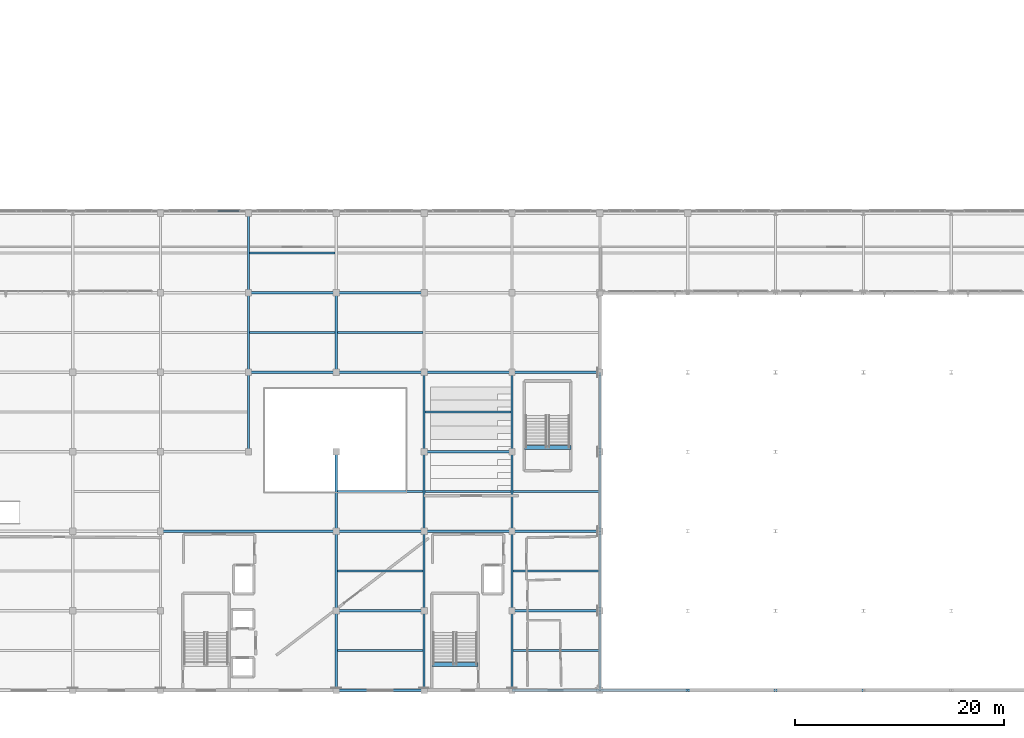
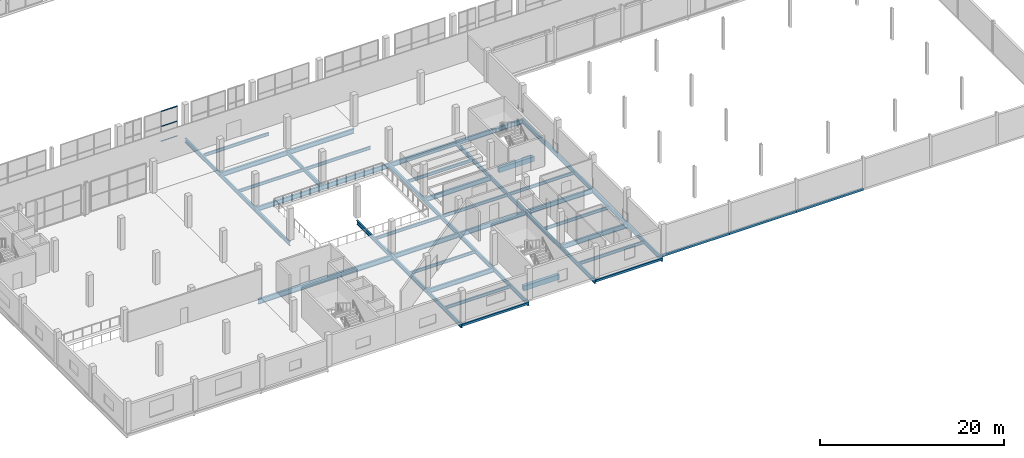
# One storey, part 36 of 217: 50 beams, 3 members, 1 element without a shape of its own.
"""IFC4 building model written with IfcOpenShell, lengths in metres."""

import ifcopenshell
import ifcopenshell.guid

model = None  # the IFC model being written
_history = None  # IfcOwnerHistory: only IFC2X3 demands one
_inside = {}  # id of a spatial element -> (the spatial element, [elements in it])
_under = {}  # id of a project, library or spatial element -> (it, [spatial elements below it])
_declared = {}  # id of a project -> (the project, [libraries it declares])
_typed = {}  # id of a type object -> (the type object, [elements of that type])
_made_of = {}  # id of a material, layer set ... -> (it, [elements and type objects made of it])


def new_model(schema):
    """Start an empty IFC model of exactly this schema.

    Asked for "IFC4X3", IfcOpenShell would pick the latest addendum, in which some entities
    have other attributes; the version numbers below select the first issue.
    IFC2X3 requires an IfcOwnerHistory on every rooted entity: one is made here for all.
    """
    global model, _history
    if schema == "IFC4X3":
        model = ifcopenshell.file(schema_version=(4, 3, 0, 0))
    else:
        model = ifcopenshell.file(schema=schema)
    _inside.clear()
    _under.clear()
    _declared.clear()
    _typed.clear()
    _made_of.clear()
    _history = None
    if model.schema == "IFC2X3":
        org = make("IfcOrganization", Name="unknown")
        user = make(
            "IfcPersonAndOrganization",
            ThePerson=make("IfcPerson", FamilyName="unknown"),
            TheOrganization=org,
        )
        app = make(
            "IfcApplication",
            ApplicationDeveloper=org,
            Version="unknown",
            ApplicationFullName="unknown",
            ApplicationIdentifier="unknown",
        )
        _history = make(
            "IfcOwnerHistory",
            OwningUser=user,
            OwningApplication=app,
            ChangeAction="ADDED",
            CreationDate=0,
        )
    return model


def make(cls, **values):
    """One entity of the class cls with the attributes given. An attribute that is None is left unset."""
    return model.create_entity(
        cls, **{name: value for name, value in values.items() if value is not None}
    )


def rooted(cls, **values):
    """An entity with a GlobalId (a new one), such as an element, a storey or a relation."""
    return make(cls, GlobalId=ifcopenshell.guid.new(), OwnerHistory=_history, **values)


def si_unit(unit_type, name, prefix=None):
    """IfcSIUnit, for example si_unit("LENGTHUNIT", "METRE", prefix="MILLI")."""
    return make("IfcSIUnit", UnitType=unit_type, Prefix=prefix, Name=name)


def assignment(units):
    """IfcUnitAssignment: the units of a project."""
    return None if units is None else make("IfcUnitAssignment", Units=units)


def point(xyz):
    """IfcCartesianPoint."""
    return None if xyz is None else make("IfcCartesianPoint", Coordinates=xyz)


def direction(xyz):
    """IfcDirection."""
    return None if xyz is None else make("IfcDirection", DirectionRatios=xyz)


def frame(location, z_axis=None, x_axis=None):
    """IfcAxis2Placement3D, a coordinate frame: its origin and axes. An axis left out is left unset."""
    return make(
        "IfcAxis2Placement3D",
        Location=point(location),
        Axis=direction(z_axis),
        RefDirection=direction(x_axis),
    )


def frame_2d(location, x_axis=None):
    """IfcAxis2Placement2D, a coordinate frame in the plane: its origin and x axis."""
    return make(
        "IfcAxis2Placement2D", Location=point(location), RefDirection=direction(x_axis)
    )


def origin():
    """The frame at (0, 0, 0) with its axes left unset."""
    return frame((0.0, 0.0, 0.0))


def origin_2d():
    """The frame at (0, 0) in the plane with its x axis left unset."""
    return frame_2d((0.0, 0.0))


def place(relative_to, where):
    """IfcLocalPlacement: puts the frame where relative to a parent placement (None: the world)."""
    return make(
        "IfcLocalPlacement", PlacementRelTo=relative_to, RelativePlacement=where
    )


def context(
    kind, dimensions, precision=None, world=None, true_north=None, identifier=None
):
    """IfcGeometricRepresentationContext, for example the 3D "Model" context."""
    return make(
        "IfcGeometricRepresentationContext",
        ContextIdentifier=identifier,
        ContextType=kind,
        CoordinateSpaceDimension=dimensions,
        Precision=precision,
        WorldCoordinateSystem=world,
        TrueNorth=true_north,
    )


def subcontext(parent, identifier, kind, view, scale=None):
    """IfcGeometricRepresentationSubContext, for example "Body" below "Model"."""
    return make(
        "IfcGeometricRepresentationSubContext",
        ContextIdentifier=identifier,
        ContextType=kind,
        ParentContext=parent,
        TargetScale=scale,
        TargetView=view,
    )


def project(units=None, contexts=None):
    """IfcProject with its units and contexts."""
    return rooted(
        "IfcProject",
        Name="project",
        RepresentationContexts=contexts,
        UnitsInContext=assignment(units),
    )


def spatial(cls, under=None, at=None, **own):
    """A site, building, storey or space (cls), placed at a placement, below another one or the project."""
    s = rooted(cls, ObjectPlacement=at, **own)
    if under is not None:
        _under.setdefault(under.id(), (under, []))[1].append(s)
    return s


def profile(cls, at=None, kind="AREA", **sizes):
    """A parametric profile (cls). Its sizes go by their IFC names, for example OverallWidth=200.0."""
    return make(cls, ProfileType=kind, Position=at, **sizes)


def rectangle(**sizes):
    """IfcRectangleProfileDef."""
    return profile("IfcRectangleProfileDef", **sizes)


def hollow_rectangle(**sizes):
    """IfcRectangleHollowProfileDef."""
    return profile("IfcRectangleHollowProfileDef", **sizes)


def i_section(**sizes):
    """IfcIShapeProfileDef."""
    return profile("IfcIShapeProfileDef", **sizes)


def extrude(swept, where, along, depth):
    """IfcExtrudedAreaSolid: the profile swept, set in the frame where, extruded along a direction by depth."""
    return make(
        "IfcExtrudedAreaSolid",
        SweptArea=swept,
        Position=where,
        ExtrudedDirection=direction(along),
        Depth=depth,
    )


def shape(context_of_items, identifier, shape_type, items):
    """IfcShapeRepresentation: the items that make up one representation, for example the "Body"."""
    return make(
        "IfcShapeRepresentation",
        ContextOfItems=context_of_items,
        RepresentationIdentifier=identifier,
        RepresentationType=shape_type,
        Items=items,
    )


def material(Name=None, Category=None):
    """IfcMaterial."""
    return make("IfcMaterial", Name=Name, Category=Category)


def material_profile(
    of_material, cross_section, Name=None, Category=None, Priority=None
):
    """IfcMaterialProfile: a cross section and its material."""
    return make(
        "IfcMaterialProfile",
        Name=Name,
        Material=of_material,
        Profile=cross_section,
        Priority=Priority,
        Category=Category,
    )


def profile_set(profiles, Name=None, composite=None):
    """IfcMaterialProfileSet."""
    return make(
        "IfcMaterialProfileSet",
        Name=Name,
        MaterialProfiles=profiles,
        CompositeProfile=composite,
    )


def made_of(thing, what):
    """Note that an element or type object is made of a material, layer set ...; save() writes the relation."""
    if what is not None:
        _made_of.setdefault(what.id(), (what, []))[1].append(thing)
    return thing


def type_object(cls, material=None, **own):
    """A type object (cls), such as IfcWallType, which elements share."""
    return made_of(rooted(cls, **own), material)


def element(
    cls,
    number,
    at=None,
    inside=None,
    cuts=None,
    type_object=None,
    material=None,
    context=None,
    identifier="Body",
    shape_type=None,
    held_by="IfcProductDefinitionShape",
    body=None,
    shapes=None,
    **own,
):
    """One element of the class cls, such as IfcWall. Its Tag is "e" and its number.

    at: its placement. inside: the storey or other place that contains it. cuts: it is an
    opening in that element (IfcRelVoidsElement). A single representation is given by context,
    identifier, shape_type and body (its items); several are given by shapes. held_by: the class
    of the entity that holds the representations. save() writes the other relations.
    """
    e = rooted(cls, Tag="e%d" % number, ObjectPlacement=at, **own)
    if body is not None:
        shapes = [shape(context, identifier, shape_type, body)]
    if shapes is not None:
        e.Representation = make(held_by, Representations=shapes)
    if inside is not None:
        _inside.setdefault(inside.id(), (inside, []))[1].append(e)
    if cuts is not None:
        rooted(
            "IfcRelVoidsElement", RelatingBuildingElement=cuts, RelatedOpeningElement=e
        )
    if type_object is not None:
        _typed.setdefault(type_object.id(), (type_object, []))[1].append(e)
    return made_of(e, material)


def aggregate(whole, parts):
    """IfcRelAggregates: a whole, such as a stair, and the parts it consists of."""
    return rooted("IfcRelAggregates", RelatingObject=whole, RelatedObjects=parts)


def save(model, path):
    """Write the relations noted so far, then the file.

    IfcRelAggregates (storeys below a building ...), IfcRelContainedInSpatialStructure (elements
    in a storey), IfcRelDefinesByType, IfcRelAssociatesMaterial and IfcRelDeclares: one each for
    every whole, place, type object, material and project.
    """
    for whole, parts in _under.values():
        aggregate(whole, parts)
    for where, things in _inside.values():
        rooted(
            "IfcRelContainedInSpatialStructure",
            RelatedElements=things,
            RelatingStructure=where,
        )
    for kind, things in _typed.values():
        rooted("IfcRelDefinesByType", RelatedObjects=things, RelatingType=kind)
    for what, things in _made_of.values():
        rooted("IfcRelAssociatesMaterial", RelatedObjects=things, RelatingMaterial=what)
    for by, libraries in _declared.values():
        rooted("IfcRelDeclares", RelatingContext=by, RelatedDefinitions=libraries)
    model.write(path)


model = new_model("IFC4")

# Units and contexts
model_context = context("Model", 3, precision=1e-05, world=origin(), true_north=direction((0.0, 1.0)))
body_context = subcontext(model_context, "Body", "Model", "MODEL_VIEW")
ifc_project = project(units=[si_unit("LENGTHUNIT", "METRE"), si_unit("AREAUNIT", "SQUARE_METRE"), si_unit("VOLUMEUNIT", "CUBIC_METRE"), si_unit("PLANEANGLEUNIT", "RADIAN"), si_unit("MASSUNIT", "GRAM", prefix="KILO")], contexts=[model_context])

# Site, building, storey
site_placement = place(None, origin())
site = spatial("IfcSite", under=ifc_project, at=site_placement, CompositionType="ELEMENT")
building_placement = place(site_placement, origin())
building = spatial("IfcBuilding", under=site, at=building_placement, Name="Zuvorla Pavilion Media Centre", CompositionType="ELEMENT")
storey_placement = place(building_placement, frame((0.0, 0.0, 9.60009765625)))
storey = spatial("IfcBuildingStorey", under=building, at=storey_placement, Name="L02", CompositionType="ELEMENT", Elevation=9.60009765625)

# Beams
ifc_material_1 = material(Name="Concrete C40/50", Category="concrete")
ifc_material_profile_1 = material_profile(ifc_material_1, rectangle(XDim=0.39990234375, YDim=0.64990234375, at=origin_2d()), Name="RC 400x650")
ifc_profile_set_1 = profile_set([ifc_material_profile_1], Name="Concrete C40/50")
beam_type_1 = type_object("IfcBeamType", Name="BM-RC-650", PredefinedType="BEAM", material=ifc_profile_set_1)
for number, where, z_axis, x_axis, name in (
    (1, (92.72998046875, 8.469970703125, -0.32421875), (1.0, 0.0, 0.0), (0.0, 1.0, 0.0), "L02 ST-02 landing trimmer beam"),
    (2, (101.580078125, 29.219970703125, -0.32421875), (1.0, 0.0, 0.0), (0.0, 1.0, 0.0), "L02 ST-04 landing trimmer beam"),
):
    element("IfcBeam", number, at=place(storey_placement, frame(where, z_axis=z_axis, x_axis=x_axis)), inside=storey, type_object=beam_type_1, Name=name, PredefinedType="BEAM", context=body_context, shape_type="SweptSolid", body=[
        extrude(rectangle(XDim=0.39990234375, YDim=0.64990234375, at=origin_2d()), origin(), (0.0, 0.0, 1.0), 4.43994140625),
    ])
ifc_material_2 = material(Name="Steel S355", Category="steel")
ifc_material_profile_2 = material_profile(ifc_material_2, hollow_rectangle(XDim=0.199951171875, YDim=0.300048828125, WallThickness=0.012451171875, at=origin_2d()), Name="RHS 300x200x12.5")
ifc_profile_set_2 = profile_set([ifc_material_profile_2], Name="Steel S355")
beam_type_2 = type_object("IfcBeamType", Name="BM-SP-RHS300", PredefinedType="SPANDREL", material=ifc_profile_set_2)
beam_1_placement = place(storey_placement, frame((83.60009765625, 6.0, -0.578125), z_axis=(1.0, 0.0, 0.0), x_axis=(0.0, 1.0, 0.0)))
element("IfcBeam", 3, at=beam_1_placement, inside=storey, type_object=beam_type_2, Name="L02 spandrel SP01 793", PredefinedType="SPANDREL", context=body_context, shape_type="SweptSolid", body=[
    extrude(hollow_rectangle(XDim=0.199951171875, YDim=0.300048828125, WallThickness=0.012451171875, at=origin_2d()), origin(), (0.0, 0.0, 1.0), 8.39990234375),
])
beam_2_placement = place(storey_placement, frame((100.39990234375, 6.0, -0.578125), z_axis=(1.0, 0.0, 0.0), x_axis=(0.0, 1.0, 0.0)))
element("IfcBeam", 4, at=beam_2_placement, inside=storey, type_object=beam_type_2, Name="L02 spandrel SP01 794", PredefinedType="SPANDREL", context=body_context, shape_type="SweptSolid", body=[
    extrude(hollow_rectangle(XDim=0.199951171875, YDim=0.300048828125, WallThickness=0.012451171875, at=origin_2d()), origin(), (0.0, 0.0, 1.0), 8.400146484375),
])
beam_3_placement = place(storey_placement, frame((108.800048828125, 6.0, -0.150146484375), z_axis=(1.0, 0.0, 0.0), x_axis=(0.0, 1.0, 0.0)))
element("IfcBeam", 5, at=beam_3_placement, inside=storey, type_object=beam_type_2, Name="L02 spandrel SP01 1757", PredefinedType="SPANDREL", context=body_context, shape_type="SweptSolid", body=[
    extrude(hollow_rectangle(XDim=0.199951171875, YDim=0.300048828125, WallThickness=0.012451171875, at=origin_2d()), origin(), (0.0, 0.0, 1.0), 8.39990234375),
])
beam_4_placement = place(storey_placement, frame((117.199951171875, 6.0, -0.150146484375), z_axis=(1.0, 0.0, 0.0), x_axis=(0.0, 1.0, 0.0)))
element("IfcBeam", 6, at=beam_4_placement, inside=storey, type_object=beam_type_2, Name="L02 spandrel SP01 1758", PredefinedType="SPANDREL", context=body_context, shape_type="SweptSolid", body=[
    extrude(hollow_rectangle(XDim=0.199951171875, YDim=0.300048828125, WallThickness=0.012451171875, at=origin_2d()), origin(), (0.0, 0.0, 1.0), 8.400146484375),
])
beam_5_placement = place(storey_placement, frame((125.60009765625, 6.0, -0.150146484375), z_axis=(1.0, 0.0, 0.0), x_axis=(0.0, 1.0, 0.0)))
element("IfcBeam", 7, at=beam_5_placement, inside=storey, type_object=beam_type_2, Name="L02 spandrel SP01 1759", PredefinedType="SPANDREL", context=body_context, shape_type="SweptSolid", body=[
    extrude(hollow_rectangle(XDim=0.199951171875, YDim=0.300048828125, WallThickness=0.012451171875, at=origin_2d()), origin(), (0.0, 0.0, 1.0), 8.39990234375),
])
ifc_material_profile_3 = material_profile(ifc_material_2, i_section(OverallWidth=0.1787109375, OverallDepth=0.409423828125, WebThickness=0.0087890625, FlangeThickness=0.014404296875, FilletRadius=0.01025390625, at=origin_2d()), Name="UB 406x178x67")
ifc_profile_set_3 = profile_set([ifc_material_profile_3], Name="Steel S355")
beam_type_3 = type_object("IfcBeamType", Name="BM-UB406", PredefinedType="JOIST", material=ifc_profile_set_3)
for number, where, z_axis, x_axis, name in (
    (8, (75.300048828125, 40.199951171875, -0.6328125), (1.0, 0.0, 0.0), (0.0, 1.0, 0.0), "L02 joist J02 1011"),
    (9, (75.300048828125, 47.800048828125, -0.472900390625), (1.0, 0.0, 0.0), (0.0, 1.0, 0.0), "L02 joist J02 1012"),
    (10, (83.699951171875, 9.800048828125, -0.6328125), (1.0, 0.0, 0.0), (0.0, 1.0, 0.0), "L02 joist J02 1014"),
    (11, (83.699951171875, 17.39990234375, -0.6328125), (1.0, 0.0, 0.0), (0.0, 1.0, 0.0), "L02 joist J02 1015"),
    (12, (83.699951171875, 25.0, -0.6328125), (1.0, 0.0, 0.0), (0.0, 1.0, 0.0), "L02 joist J02 1016"),
    (13, (83.699951171875, 40.199951171875, -0.6328125), (1.0, 0.0, 0.0), (0.0, 1.0, 0.0), "L02 joist J02 1017"),
    (14, (92.10009765625, 25.0, -0.6328125), (1.0, 0.0, 0.0), (0.0, 1.0, 0.0), "L02 joist J02 1020"),
    (15, (92.10009765625, 32.60009765625, -0.6328125), (1.0, 0.0, 0.0), (0.0, 1.0, 0.0), "L02 joist J02 1021"),
    (16, (100.5, 9.800048828125, -0.6328125), (1.0, 0.0, 0.0), (0.0, 1.0, 0.0), "L02 joist J02 1024"),
    (17, (100.5, 17.39990234375, -0.6328125), (1.0, 0.0, 0.0), (0.0, 1.0, 0.0), "L02 joist J02 1025"),
    (18, (100.5, 25.0, -0.6328125), (1.0, 0.0, 0.0), (0.0, 1.0, 0.0), "L02 joist J02 1026"),
):
    element("IfcBeam", number, at=place(storey_placement, frame(where, z_axis=z_axis, x_axis=x_axis)), inside=storey, type_object=beam_type_3, Name=name, PredefinedType="JOIST", context=body_context, shape_type="SweptSolid", body=[
        extrude(i_section(OverallWidth=0.1787109375, OverallDepth=0.409423828125, WebThickness=0.0087890625, FlangeThickness=0.014404296875, FilletRadius=0.01025390625, at=origin_2d()), origin(), (0.0, 0.0, 1.0), 8.199951171875),
    ])
ifc_material_profile_4 = material_profile(ifc_material_2, i_section(OverallWidth=0.2099609375, OverallDepth=0.53662109375, WebThickness=0.0107421875, FlangeThickness=0.017333984375, FilletRadius=0.0126953125, at=origin_2d()), Name="UB 533x210x101")
ifc_profile_set_4 = profile_set([ifc_material_profile_4], Name="Steel S355")
beam_type_4 = type_object("IfcBeamType", Name="BM-UB533", PredefinedType="BEAM", material=ifc_profile_set_4)
beam_6_placement = place(storey_placement, frame((75.199951171875, 28.800048828125, -0.6962890625), z_axis=(0.0, 1.0, 0.0), x_axis=(-1.0, 0.0, 0.0)))
element("IfcBeam", 19, at=beam_6_placement, inside=storey, type_object=beam_type_4, Name="L02 beam B08 930", PredefinedType="BEAM", context=body_context, shape_type="SweptSolid", body=[
    extrude(i_section(OverallWidth=0.2099609375, OverallDepth=0.53662109375, WebThickness=0.0107421875, FlangeThickness=0.017333984375, FilletRadius=0.0126953125, at=origin_2d()), origin(), (0.0, 0.0, 1.0), 7.599853515625),
])
for number, where, z_axis, x_axis, name in (
    (20, (75.199951171875, 36.39990234375, -0.6962890625), (0.0, 1.0, 0.0), (-1.0, 0.0, 0.0), "L02 beam B08 931"),
    (21, (75.199951171875, 44.0, -0.6962890625), (0.0, 1.0, 0.0), (-1.0, 0.0, 0.0), "L02 beam B08 932"),
    (22, (83.60009765625, 6.0, -0.6962890625), (0.0, 1.0, 0.0), (-1.0, 0.0, 0.0), "L02 beam B08 934"),
):
    element("IfcBeam", number, at=place(storey_placement, frame(where, z_axis=z_axis, x_axis=x_axis)), inside=storey, type_object=beam_type_4, Name=name, PredefinedType="BEAM", context=body_context, shape_type="SweptSolid", body=[
        extrude(i_section(OverallWidth=0.2099609375, OverallDepth=0.53662109375, WebThickness=0.0107421875, FlangeThickness=0.017333984375, FilletRadius=0.0126953125, at=origin_2d()), origin(), (0.0, 0.0, 1.0), 7.60009765625),
    ])
beam_7_placement = place(storey_placement, frame((83.60009765625, 13.60009765625, -0.6962890625), z_axis=(0.0, 1.0, 0.0), x_axis=(-1.0, 0.0, 0.0)))
element("IfcBeam", 23, at=beam_7_placement, inside=storey, type_object=beam_type_4, Name="L02 beam B08 935", PredefinedType="BEAM", context=body_context, shape_type="SweptSolid", body=[
    extrude(i_section(OverallWidth=0.2099609375, OverallDepth=0.53662109375, WebThickness=0.0107421875, FlangeThickness=0.017333984375, FilletRadius=0.0126953125, at=origin_2d()), origin(), (0.0, 0.0, 1.0), 7.599853515625),
])
for number, where, z_axis, x_axis, name in (
    (24, (83.60009765625, 21.199951171875, -0.6962890625), (0.0, 1.0, 0.0), (-1.0, 0.0, 0.0), "L02 beam B08 936"),
    (25, (83.60009765625, 36.39990234375, -0.6962890625), (0.0, 1.0, 0.0), (-1.0, 0.0, 0.0), "L02 beam B08 937"),
    (26, (92.0, 6.0, -0.6962890625), (0.0, 1.0, 0.0), (-1.0, 0.0, 0.0), "L02 beam B08 940"),
):
    element("IfcBeam", number, at=place(storey_placement, frame(where, z_axis=z_axis, x_axis=x_axis)), inside=storey, type_object=beam_type_4, Name=name, PredefinedType="BEAM", context=body_context, shape_type="SweptSolid", body=[
        extrude(i_section(OverallWidth=0.2099609375, OverallDepth=0.53662109375, WebThickness=0.0107421875, FlangeThickness=0.017333984375, FilletRadius=0.0126953125, at=origin_2d()), origin(), (0.0, 0.0, 1.0), 7.60009765625),
    ])
beam_8_placement = place(storey_placement, frame((92.0, 13.60009765625, -0.6962890625), z_axis=(0.0, 1.0, 0.0), x_axis=(-1.0, 0.0, 0.0)))
element("IfcBeam", 27, at=beam_8_placement, inside=storey, type_object=beam_type_4, Name="L02 beam B08 941", PredefinedType="BEAM", context=body_context, shape_type="SweptSolid", body=[
    extrude(i_section(OverallWidth=0.2099609375, OverallDepth=0.53662109375, WebThickness=0.0107421875, FlangeThickness=0.017333984375, FilletRadius=0.0126953125, at=origin_2d()), origin(), (0.0, 0.0, 1.0), 7.599853515625),
])
beam_9_placement = place(storey_placement, frame((92.0, 21.199951171875, -0.6962890625), z_axis=(0.0, 1.0, 0.0), x_axis=(-1.0, 0.0, 0.0)))
element("IfcBeam", 28, at=beam_9_placement, inside=storey, type_object=beam_type_4, Name="L02 beam B08 942", PredefinedType="BEAM", context=body_context, shape_type="SweptSolid", body=[
    extrude(i_section(OverallWidth=0.2099609375, OverallDepth=0.53662109375, WebThickness=0.0107421875, FlangeThickness=0.017333984375, FilletRadius=0.0126953125, at=origin_2d()), origin(), (0.0, 0.0, 1.0), 7.60009765625),
])
beam_10_placement = place(storey_placement, frame((92.0, 28.800048828125, -0.6962890625), z_axis=(0.0, 1.0, 0.0), x_axis=(-1.0, 0.0, 0.0)))
element("IfcBeam", 29, at=beam_10_placement, inside=storey, type_object=beam_type_4, Name="L02 beam B08 943", PredefinedType="BEAM", context=body_context, shape_type="SweptSolid", body=[
    extrude(i_section(OverallWidth=0.2099609375, OverallDepth=0.53662109375, WebThickness=0.0107421875, FlangeThickness=0.017333984375, FilletRadius=0.0126953125, at=origin_2d()), origin(), (0.0, 0.0, 1.0), 7.599853515625),
])
beam_11_placement = place(storey_placement, frame((100.39990234375, 6.0, -0.6962890625), z_axis=(0.0, 1.0, 0.0), x_axis=(-1.0, 0.0, 0.0)))
element("IfcBeam", 30, at=beam_11_placement, inside=storey, type_object=beam_type_4, Name="L02 beam B08 947", PredefinedType="BEAM", context=body_context, shape_type="SweptSolid", body=[
    extrude(i_section(OverallWidth=0.2099609375, OverallDepth=0.53662109375, WebThickness=0.0107421875, FlangeThickness=0.017333984375, FilletRadius=0.0126953125, at=origin_2d()), origin(), (0.0, 0.0, 1.0), 7.60009765625),
])
beam_12_placement = place(storey_placement, frame((100.39990234375, 13.60009765625, -0.6962890625), z_axis=(0.0, 1.0, 0.0), x_axis=(-1.0, 0.0, 0.0)))
element("IfcBeam", 31, at=beam_12_placement, inside=storey, type_object=beam_type_4, Name="L02 beam B08 948", PredefinedType="BEAM", context=body_context, shape_type="SweptSolid", body=[
    extrude(i_section(OverallWidth=0.2099609375, OverallDepth=0.53662109375, WebThickness=0.0107421875, FlangeThickness=0.017333984375, FilletRadius=0.0126953125, at=origin_2d()), origin(), (0.0, 0.0, 1.0), 7.599853515625),
])
beam_13_placement = place(storey_placement, frame((100.39990234375, 21.199951171875, -0.6962890625), z_axis=(0.0, 1.0, 0.0), x_axis=(-1.0, 0.0, 0.0)))
element("IfcBeam", 32, at=beam_13_placement, inside=storey, type_object=beam_type_4, Name="L02 beam B08 949", PredefinedType="BEAM", context=body_context, shape_type="SweptSolid", body=[
    extrude(i_section(OverallWidth=0.2099609375, OverallDepth=0.53662109375, WebThickness=0.0107421875, FlangeThickness=0.017333984375, FilletRadius=0.0126953125, at=origin_2d()), origin(), (0.0, 0.0, 1.0), 7.60009765625),
])
beam_14_placement = place(storey_placement, frame((100.39990234375, 28.800048828125, -0.6962890625), z_axis=(0.0, 1.0, 0.0), x_axis=(-1.0, 0.0, 0.0)))
element("IfcBeam", 33, at=beam_14_placement, inside=storey, type_object=beam_type_4, Name="L02 beam B08 950", PredefinedType="BEAM", context=body_context, shape_type="SweptSolid", body=[
    extrude(i_section(OverallWidth=0.2099609375, OverallDepth=0.53662109375, WebThickness=0.0107421875, FlangeThickness=0.017333984375, FilletRadius=0.0126953125, at=origin_2d()), origin(), (0.0, 0.0, 1.0), 7.599853515625),
])
beam_15_placement = place(storey_placement, frame((108.800048828125, 6.0, -0.6962890625), z_axis=(0.0, 1.0, 0.0), x_axis=(-1.0, 0.0, 0.0)))
element("IfcBeam", 34, at=beam_15_placement, inside=storey, type_object=beam_type_4, Name="L02 beam B08 954", PredefinedType="BEAM", context=body_context, shape_type="SweptSolid", body=[
    extrude(i_section(OverallWidth=0.2099609375, OverallDepth=0.53662109375, WebThickness=0.0107421875, FlangeThickness=0.017333984375, FilletRadius=0.0126953125, at=origin_2d()), origin(), (0.0, 0.0, 1.0), 7.60009765625),
])
beam_16_placement = place(storey_placement, frame((108.800048828125, 13.60009765625, -0.6962890625), z_axis=(0.0, 1.0, 0.0), x_axis=(-1.0, 0.0, 0.0)))
element("IfcBeam", 35, at=beam_16_placement, inside=storey, type_object=beam_type_4, Name="L02 beam B08 955", PredefinedType="BEAM", context=body_context, shape_type="SweptSolid", body=[
    extrude(i_section(OverallWidth=0.2099609375, OverallDepth=0.53662109375, WebThickness=0.0107421875, FlangeThickness=0.017333984375, FilletRadius=0.0126953125, at=origin_2d()), origin(), (0.0, 0.0, 1.0), 7.599853515625),
])
beam_17_placement = place(storey_placement, frame((108.800048828125, 21.199951171875, -0.6962890625), z_axis=(0.0, 1.0, 0.0), x_axis=(-1.0, 0.0, 0.0)))
element("IfcBeam", 36, at=beam_17_placement, inside=storey, type_object=beam_type_4, Name="L02 beam B08 956", PredefinedType="BEAM", context=body_context, shape_type="SweptSolid", body=[
    extrude(i_section(OverallWidth=0.2099609375, OverallDepth=0.53662109375, WebThickness=0.0107421875, FlangeThickness=0.017333984375, FilletRadius=0.0126953125, at=origin_2d()), origin(), (0.0, 0.0, 1.0), 7.60009765625),
])
beam_18_placement = place(storey_placement, frame((108.800048828125, 28.800048828125, -0.6962890625), z_axis=(0.0, 1.0, 0.0), x_axis=(-1.0, 0.0, 0.0)))
element("IfcBeam", 37, at=beam_18_placement, inside=storey, type_object=beam_type_4, Name="L02 beam B08 957", PredefinedType="BEAM", context=body_context, shape_type="SweptSolid", body=[
    extrude(i_section(OverallWidth=0.2099609375, OverallDepth=0.53662109375, WebThickness=0.0107421875, FlangeThickness=0.017333984375, FilletRadius=0.0126953125, at=origin_2d()), origin(), (0.0, 0.0, 1.0), 7.599853515625),
])
ifc_material_profile_5 = material_profile(ifc_material_2, i_section(OverallWidth=0.22900390625, OverallDepth=0.6123046875, WebThickness=0.011962890625, FlangeThickness=0.01953125, FilletRadius=0.0126953125, at=origin_2d()), Name="UB 610x229x125")
ifc_profile_set_5 = profile_set([ifc_material_profile_5], Name="Steel S355")
beam_type_5 = type_object("IfcBeamType", Name="BM-UB610", PredefinedType="BEAM", material=ifc_profile_set_5)
beam_19_placement = place(storey_placement, frame((83.60009765625, 13.60009765625, -0.734130859375), z_axis=(1.0, 0.0, 0.0), x_axis=(0.0, 1.0, 0.0)))
element("IfcBeam", 38, at=beam_19_placement, inside=storey, type_object=beam_type_5, Name="L02 beam B07 798", PredefinedType="BEAM", context=body_context, shape_type="SweptSolid", body=[
    extrude(i_section(OverallWidth=0.22900390625, OverallDepth=0.6123046875, WebThickness=0.011962890625, FlangeThickness=0.01953125, FilletRadius=0.0126953125, at=origin_2d()), origin(), (0.0, 0.0, 1.0), 8.39990234375),
])
beam_20_placement = place(storey_placement, frame((100.39990234375, 13.60009765625, -0.734130859375), z_axis=(1.0, 0.0, 0.0), x_axis=(0.0, 1.0, 0.0)))
element("IfcBeam", 39, at=beam_20_placement, inside=storey, type_object=beam_type_5, Name="L02 beam B07 799", PredefinedType="BEAM", context=body_context, shape_type="SweptSolid", body=[
    extrude(i_section(OverallWidth=0.22900390625, OverallDepth=0.6123046875, WebThickness=0.011962890625, FlangeThickness=0.01953125, FilletRadius=0.0126953125, at=origin_2d()), origin(), (0.0, 0.0, 1.0), 8.400146484375),
])
for number, where, z_axis, x_axis, name in (
    (40, (83.60009765625, 21.199951171875, -0.734130859375), (1.0, 0.0, 0.0), (0.0, 1.0, 0.0), "L02 beam B07 804"),
    (41, (92.0, 21.199951171875, -0.734130859375), (1.0, 0.0, 0.0), (0.0, 1.0, 0.0), "L02 beam B07 805"),
):
    element("IfcBeam", number, at=place(storey_placement, frame(where, z_axis=z_axis, x_axis=x_axis)), inside=storey, type_object=beam_type_5, Name=name, PredefinedType="BEAM", context=body_context, shape_type="SweptSolid", body=[
        extrude(i_section(OverallWidth=0.22900390625, OverallDepth=0.6123046875, WebThickness=0.011962890625, FlangeThickness=0.01953125, FilletRadius=0.0126953125, at=origin_2d()), origin(), (0.0, 0.0, 1.0), 8.39990234375),
    ])
beam_21_placement = place(storey_placement, frame((100.39990234375, 21.199951171875, -0.734130859375), z_axis=(1.0, 0.0, 0.0), x_axis=(0.0, 1.0, 0.0)))
element("IfcBeam", 42, at=beam_21_placement, inside=storey, type_object=beam_type_5, Name="L02 beam B07 806", PredefinedType="BEAM", context=body_context, shape_type="SweptSolid", body=[
    extrude(i_section(OverallWidth=0.22900390625, OverallDepth=0.6123046875, WebThickness=0.011962890625, FlangeThickness=0.01953125, FilletRadius=0.0126953125, at=origin_2d()), origin(), (0.0, 0.0, 1.0), 8.400146484375),
])
beam_22_placement = place(storey_placement, frame((92.0, 28.800048828125, -0.734130859375), z_axis=(1.0, 0.0, 0.0), x_axis=(0.0, 1.0, 0.0)))
element("IfcBeam", 43, at=beam_22_placement, inside=storey, type_object=beam_type_5, Name="L02 beam B07 811", PredefinedType="BEAM", context=body_context, shape_type="SweptSolid", body=[
    extrude(i_section(OverallWidth=0.22900390625, OverallDepth=0.6123046875, WebThickness=0.011962890625, FlangeThickness=0.01953125, FilletRadius=0.0126953125, at=origin_2d()), origin(), (0.0, 0.0, 1.0), 8.39990234375),
])
beam_23_placement = place(storey_placement, frame((75.199951171875, 36.39990234375, -0.734130859375), z_axis=(1.0, 0.0, 0.0), x_axis=(0.0, 1.0, 0.0)))
element("IfcBeam", 44, at=beam_23_placement, inside=storey, type_object=beam_type_5, Name="L02 beam B07 815", PredefinedType="BEAM", context=body_context, shape_type="SweptSolid", body=[
    extrude(i_section(OverallWidth=0.22900390625, OverallDepth=0.6123046875, WebThickness=0.011962890625, FlangeThickness=0.01953125, FilletRadius=0.0126953125, at=origin_2d()), origin(), (0.0, 0.0, 1.0), 8.400146484375),
])
for number, where, z_axis, x_axis, name in (
    (45, (83.60009765625, 36.39990234375, -0.734130859375), (1.0, 0.0, 0.0), (0.0, 1.0, 0.0), "L02 beam B07 816"),
    (46, (92.0, 36.39990234375, -0.734130859375), (1.0, 0.0, 0.0), (0.0, 1.0, 0.0), "L02 beam B07 817"),
):
    element("IfcBeam", number, at=place(storey_placement, frame(where, z_axis=z_axis, x_axis=x_axis)), inside=storey, type_object=beam_type_5, Name=name, PredefinedType="BEAM", context=body_context, shape_type="SweptSolid", body=[
        extrude(i_section(OverallWidth=0.22900390625, OverallDepth=0.6123046875, WebThickness=0.011962890625, FlangeThickness=0.01953125, FilletRadius=0.0126953125, at=origin_2d()), origin(), (0.0, 0.0, 1.0), 8.39990234375),
    ])
for number, where, z_axis, x_axis, name in (
    (47, (100.39990234375, 36.39990234375, -0.734130859375), (1.0, 0.0, 0.0), (0.0, 1.0, 0.0), "L02 beam B07 818"),
    (48, (75.199951171875, 44.0, -0.734130859375), (1.0, 0.0, 0.0), (0.0, 1.0, 0.0), "L02 beam B07 825"),
):
    element("IfcBeam", number, at=place(storey_placement, frame(where, z_axis=z_axis, x_axis=x_axis)), inside=storey, type_object=beam_type_5, Name=name, PredefinedType="BEAM", context=body_context, shape_type="SweptSolid", body=[
        extrude(i_section(OverallWidth=0.22900390625, OverallDepth=0.6123046875, WebThickness=0.011962890625, FlangeThickness=0.01953125, FilletRadius=0.0126953125, at=origin_2d()), origin(), (0.0, 0.0, 1.0), 8.400146484375),
    ])
beam_24_placement = place(storey_placement, frame((83.60009765625, 44.0, -0.734130859375), z_axis=(1.0, 0.0, 0.0), x_axis=(0.0, 1.0, 0.0)))
element("IfcBeam", 49, at=beam_24_placement, inside=storey, type_object=beam_type_5, Name="L02 beam B07 826", PredefinedType="BEAM", context=body_context, shape_type="SweptSolid", body=[
    extrude(i_section(OverallWidth=0.22900390625, OverallDepth=0.6123046875, WebThickness=0.011962890625, FlangeThickness=0.01953125, FilletRadius=0.0126953125, at=origin_2d()), origin(), (0.0, 0.0, 1.0), 8.39990234375),
])
ifc_material_profile_6 = material_profile(ifc_material_2, i_section(OverallWidth=0.25439453125, OverallDepth=0.6875, WebThickness=0.01318359375, FlangeThickness=0.02099609375, FilletRadius=0.01513671875, at=origin_2d()), Name="UB 686x254x152")
ifc_profile_set_6 = profile_set([ifc_material_profile_6], Name="Steel S355")
beam_type_6 = type_object("IfcBeamType", Name="BM-UB686", PredefinedType="BEAM", material=ifc_profile_set_6)
beam_25_placement = place(storey_placement, frame((66.800048828125, 21.199951171875, -0.771728515625), z_axis=(1.0, 0.0, 0.0), x_axis=(0.0, 1.0, 0.0)))
element("IfcBeam", 50, at=beam_25_placement, inside=storey, type_object=beam_type_6, Name="L02 beam B06 803", PredefinedType="BEAM", context=body_context, shape_type="SweptSolid", body=[
    extrude(i_section(OverallWidth=0.25439453125, OverallDepth=0.6875, WebThickness=0.01318359375, FlangeThickness=0.02099609375, FilletRadius=0.01513671875, at=origin_2d()), origin(), (0.0, 0.0, 1.0), 16.800048828125),
])

# Curtain wall, members
ifc_material_3 = material(Name="Unitised anodised aluminium and solar glass curtain wall", Category="aluminium")
curtain_wall_type = type_object("IfcCurtainWallType", Name="CW-SYS-40", PredefinedType="USERDEFINED", material=ifc_material_3)
curtain_wall_placement = place(storey_placement, origin())
curtain_wall = element("IfcCurtainWall", 51, at=curtain_wall_placement, inside=storey, type_object=curtain_wall_type, Name="L02 curtain wall CW40 61", ObjectType="CURTAIN WALL", PredefinedType="USERDEFINED")
ifc_material_4 = material(Name="Anodised aluminium 6063-T6", Category="aluminium")
ifc_material_profile_7 = material_profile(ifc_material_4, hollow_rectangle(XDim=0.10009765625, YDim=0.10009765625, WallThickness=0.00439453125, at=origin_2d()), Name="ALU TRAN 100x100")
ifc_profile_set_7 = profile_set([ifc_material_profile_7], Name="Anodised aluminium 6063-T6")
member_type = type_object("IfcMemberType", Name="CW-TRAN-100", PredefinedType="USERDEFINED", material=ifc_profile_set_7)
member_1_placement = place(storey_placement, frame((72.2548828125, 51.840087890625, 0.0), z_axis=(1.0, 0.0, 0.0), x_axis=(0.0, 1.0, 0.0)))
member_1 = element("IfcMember", 52, at=member_1_placement, type_object=member_type, Name="CW40 transom 2.1", ObjectType="TRANSOM", PredefinedType="USERDEFINED", context=body_context, shape_type="SweptSolid", body=[
    extrude(hollow_rectangle(XDim=0.10009765625, YDim=0.10009765625, WallThickness=0.00439453125, at=origin_2d()), origin(), (0.0, 0.0, 1.0), 2.0947265625),
])
member_2_placement = place(storey_placement, frame((72.2548828125, 51.840087890625, 1.974853515625), z_axis=(1.0, 0.0, 0.0), x_axis=(0.0, 1.0, 0.0)))
member_2 = element("IfcMember", 53, at=member_2_placement, type_object=member_type, Name="CW40 transom 2.2", ObjectType="TRANSOM", PredefinedType="USERDEFINED", context=body_context, shape_type="SweptSolid", body=[
    extrude(hollow_rectangle(XDim=0.10009765625, YDim=0.10009765625, WallThickness=0.00439453125, at=origin_2d()), origin(), (0.0, 0.0, 1.0), 2.0947265625),
])
member_3_placement = place(storey_placement, frame((72.2548828125, 51.840087890625, 3.949951171875), z_axis=(1.0, 0.0, 0.0), x_axis=(0.0, 1.0, 0.0)))
member_3 = element("IfcMember", 54, at=member_3_placement, type_object=member_type, Name="CW40 transom 2.3", ObjectType="TRANSOM", PredefinedType="USERDEFINED", context=body_context, shape_type="SweptSolid", body=[
    extrude(hollow_rectangle(XDim=0.10009765625, YDim=0.10009765625, WallThickness=0.00439453125, at=origin_2d()), origin(), (0.0, 0.0, 1.0), 2.0947265625),
])
aggregate(curtain_wall, [member_1, member_2, member_3])

save(model, "model.ifc")
